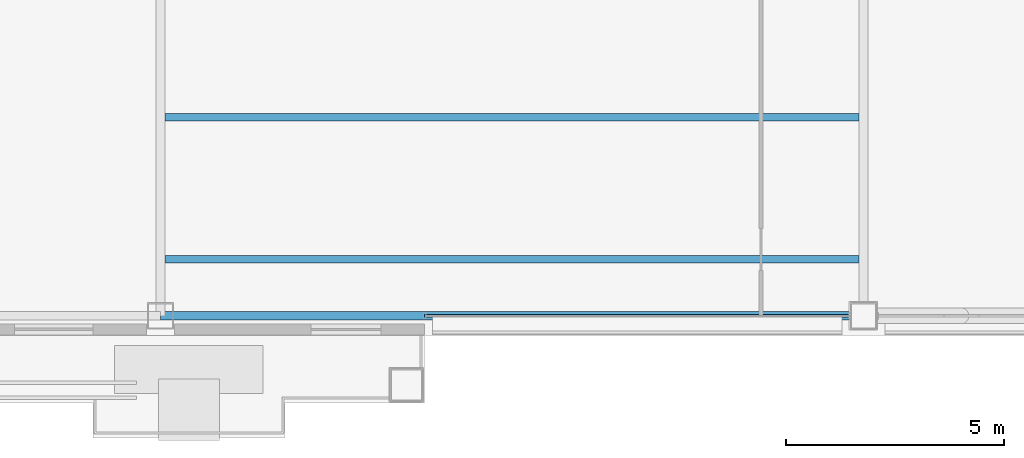
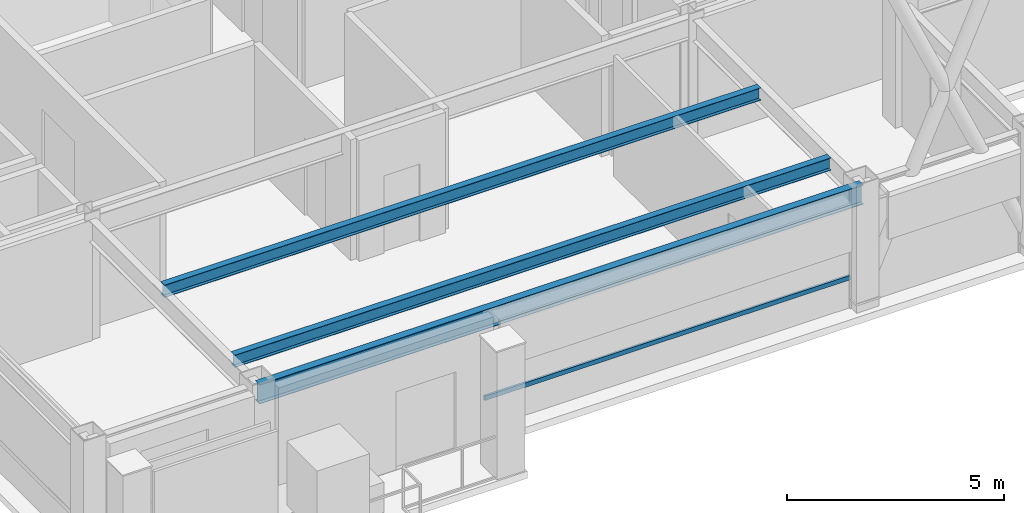
# One storey, part 6 of 27: 3 beams, 1 member, 1 element without a shape of its own.
"""IFC4 building model written with IfcOpenShell, lengths in metres."""

from ifc_helpers import new_model, si_unit, direction, frame, origin, origin_2d, place, context, subcontext, project, spatial, hollow_rectangle, i_section, extrude, material, layer, layer_set, material_profile, profile_set, type_object, element, aggregate, save


model = new_model("IFC4")

# Units and contexts
model_context = context("Model", 3, precision=1e-05, world=origin(), true_north=direction((0.0, 1.0)))
body_context = subcontext(model_context, "Body", "Model", "MODEL_VIEW")
ifc_project = project(units=[si_unit("LENGTHUNIT", "METRE"), si_unit("AREAUNIT", "SQUARE_METRE"), si_unit("VOLUMEUNIT", "CUBIC_METRE"), si_unit("PLANEANGLEUNIT", "RADIAN"), si_unit("MASSUNIT", "GRAM", prefix="KILO")], contexts=[model_context])

# Site, building, storey
site_placement = place(None, origin())
site = spatial("IfcSite", under=ifc_project, at=site_placement, CompositionType="ELEMENT")
building_placement = place(site_placement, origin())
building = spatial("IfcBuilding", under=site, at=building_placement, Name="Brelmoor Portico Tower", CompositionType="ELEMENT")
storey_placement = place(building_placement, frame((0.0, 0.0, 258.0)))
storey = spatial("IfcBuildingStorey", under=building, at=storey_placement, Name="L68", CompositionType="ELEMENT", Elevation=258.0)

# Beams
ifc_material_1 = material(Name="Steel Q355B", Category="steel")
ifc_material_profile_1 = material_profile(ifc_material_1, i_section(OverallWidth=0.175048828125, OverallDepth=0.35009765625, WebThickness=0.007080078125, FlangeThickness=0.010986328125, at=origin_2d()), Name="HN 350x175x7x11")
ifc_profile_set_1 = profile_set([ifc_material_profile_1], Name="Steel Q355B")
beam_type_1 = type_object("IfcBeamType", Name="BM-JS-350", PredefinedType="JOIST", material=ifc_profile_set_1)
for number, where, z_axis, x_axis, name in (
    (1, (-7.949951171875, -16.25, 3.22509765625), (1.0, 0.0, 0.0), (0.0, 1.0, 0.0), "L68 Secondary Composite Joist JS-C01"),
    (2, (-7.949951171875, -13.0, 3.22509765625), (1.0, 0.0, 0.0), (0.0, 1.0, 0.0), "L68 Secondary Composite Joist JS-C02"),
):
    element("IfcBeam", number, at=place(storey_placement, frame(where, z_axis=z_axis, x_axis=x_axis)), inside=storey, type_object=beam_type_1, Name=name, PredefinedType="JOIST", context=body_context, shape_type="SweptSolid", body=[
        extrude(i_section(OverallWidth=0.175048828125, OverallDepth=0.35009765625, WebThickness=0.007080078125, FlangeThickness=0.010986328125, at=origin_2d()), origin(), (0.0, 0.0, 1.0), 15.89990234375),
    ])
ifc_material_profile_2 = material_profile(ifc_material_1, i_section(OverallWidth=0.199951171875, OverallDepth=0.550048828125, WebThickness=0.010009765625, FlangeThickness=0.01611328125, at=origin_2d()), Name="HN 550x200x10x16")
ifc_profile_set_2 = profile_set([ifc_material_profile_2], Name="Steel Q355B")
beam_type_2 = type_object("IfcBeamType", Name="BM-SP-550", PredefinedType="SPANDREL", material=ifc_profile_set_2)
beam_placement = place(storey_placement, frame((-8.050048828125, -17.550048828125, 3.125), z_axis=(1.0, 0.0, 0.0), x_axis=(0.0, 1.0, 0.0)))
element("IfcBeam", 3, at=beam_placement, inside=storey, type_object=beam_type_2, Name="L68 Perimeter Spandrel Beam SP-02", PredefinedType="SPANDREL", context=body_context, shape_type="SweptSolid", body=[
    extrude(i_section(OverallWidth=0.199951171875, OverallDepth=0.550048828125, WebThickness=0.010009765625, FlangeThickness=0.01611328125, at=origin_2d()), origin(), (0.0, 0.0, 1.0), 16.10009765625),
])

# Curtain wall, member
ifc_material_2 = material(Name="Anodised Aluminium Alloy 6063-T6", Category="aluminium")
ifc_layer = layer(ifc_material_2, 0.179931640625)
ifc_layer_set = layer_set([ifc_layer], Name="Anodised Aluminium Alloy 6063-T6")
curtain_wall_type = type_object("IfcCurtainWallType", Name="CW-TOWER-Z4", PredefinedType="NOTDEFINED", material=ifc_layer_set)
curtain_wall_placement = place(storey_placement, origin())
curtain_wall = element("IfcCurtainWall", 4, at=curtain_wall_placement, inside=storey, type_object=curtain_wall_type, Name="L68 Curtain Wall CW-L68-1R-1", PredefinedType="NOTDEFINED")
ifc_material_profile_3 = material_profile(ifc_material_2, hollow_rectangle(XDim=0.06005859375, YDim=0.125, WallThickness=0.00341796875, at=origin_2d()), Name="ALU TRANSOM 60x125")
ifc_profile_set_3 = profile_set([ifc_material_profile_3], Name="Anodised Aluminium Alloy 6063-T6")
member_type = type_object("IfcMemberType", Name="MB-CW-TRAN-125", PredefinedType="USERDEFINED", material=ifc_profile_set_3)
member_placement = place(storey_placement, frame((-2.0, -17.550048828125, 0.85009765625), z_axis=(1.0, 0.0, 0.0), x_axis=(0.0, 1.0, 0.0)))
member = element("IfcMember", 5, at=member_placement, type_object=member_type, Name="CW-L68-1R-1 Transom 1-00", ObjectType="TRANSOM", PredefinedType="USERDEFINED", context=body_context, shape_type="SweptSolid", body=[
    extrude(hollow_rectangle(XDim=0.06005859375, YDim=0.125, WallThickness=0.00341796875, at=origin_2d()), origin(), (0.0, 0.0, 1.0), 9.739990234375),
])
aggregate(curtain_wall, [member])

save(model, "model.ifc")
